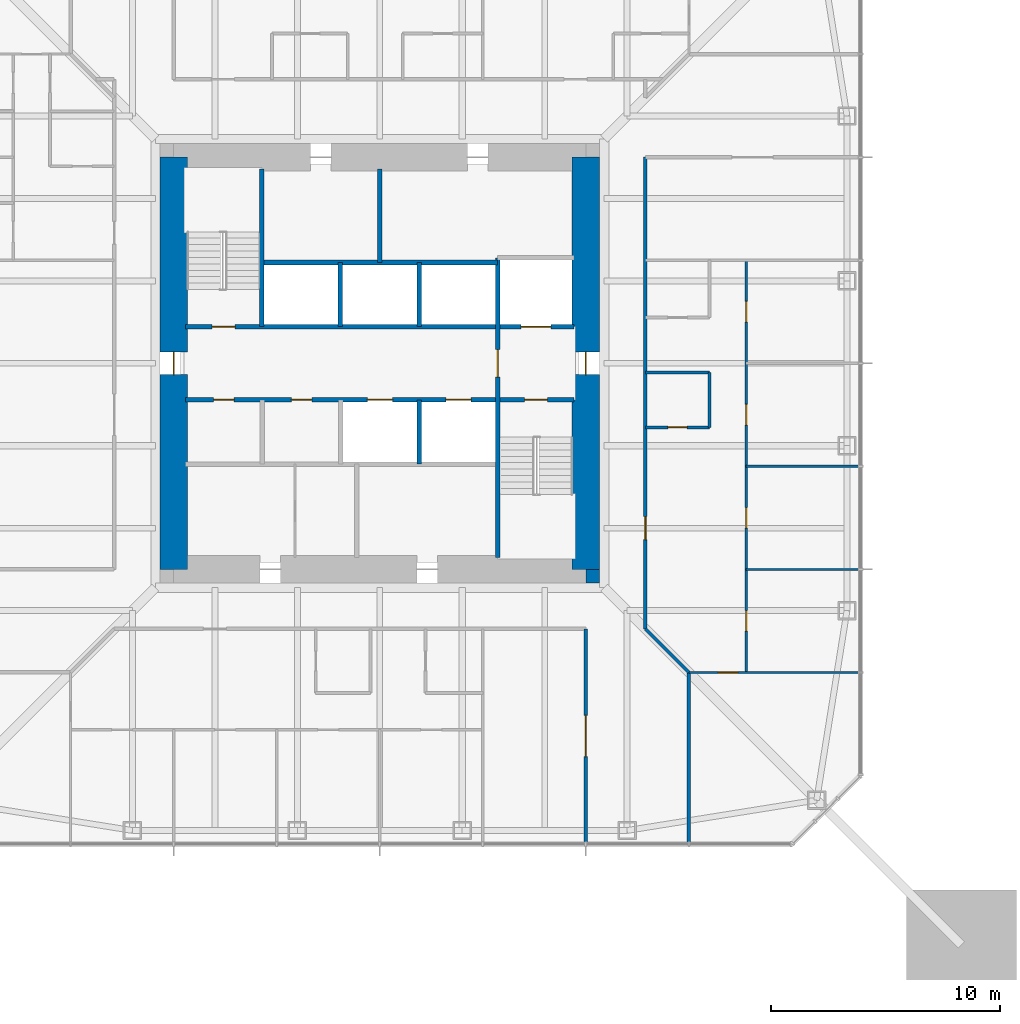
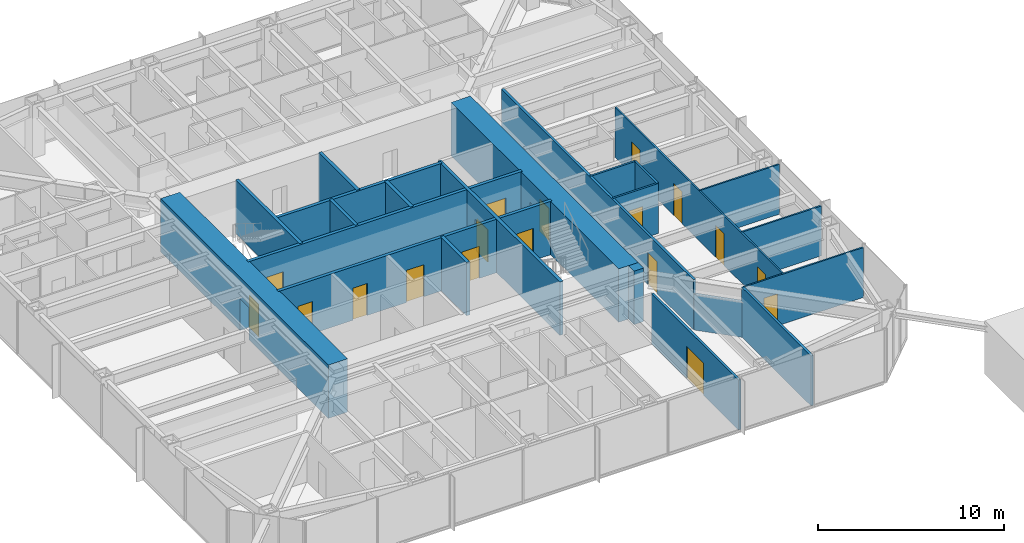
# One storey, part 12 of 23: 23 walls, 18 doors, 18 openings.
"""IFC4 building model written with IfcOpenShell, lengths in metres."""

from ifc_helpers import new_model, si_unit, direction, frame, frame_2d, origin, place, context, subcontext, project, spatial, rectangle, extrude, material, layer, layer_set, type_object, element, fill, save


model = new_model("IFC4")

# Units and contexts
model_context = context("Model", 3, precision=1e-05, world=origin(), true_north=direction((0.0, 1.0)))
body_context = subcontext(model_context, "Body", "Model", "MODEL_VIEW")
ifc_project = project(units=[si_unit("LENGTHUNIT", "METRE"), si_unit("AREAUNIT", "SQUARE_METRE"), si_unit("VOLUMEUNIT", "CUBIC_METRE"), si_unit("PLANEANGLEUNIT", "RADIAN"), si_unit("MASSUNIT", "GRAM", prefix="KILO")], contexts=[model_context])

# Site, building, storey
site_placement = place(None, origin())
site = spatial("IfcSite", under=ifc_project, at=site_placement, CompositionType="ELEMENT")
building_placement = place(site_placement, origin())
building = spatial("IfcBuilding", under=site, at=building_placement, Name="Iwan Alto Co-Living Towers", CompositionType="ELEMENT")
storey_placement = place(building_placement, frame((0.0, 0.0, 122.5)))
storey = spatial("IfcBuildingStorey", under=building, at=storey_placement, Name="L33", CompositionType="ELEMENT", Elevation=122.5)

# Wall
ifc_material_1 = material(Name="Gypsum board")
ifc_layer_1 = layer(ifc_material_1, 0.02490234375, Name="Board", Category="Finish")
ifc_material_2 = material(Name="Steel ASTM A1003 ST33H cold-formed studs", Category="steel")
ifc_layer_2 = layer(ifc_material_2, 0.10009765625, Name="Studs", Category="Framing")
ifc_layer_3 = layer(ifc_material_1, 0.02490234375, Name="Board", Category="Finish")
ifc_layer_set_1 = layer_set([ifc_layer_1, ifc_layer_2, ifc_layer_3], Name="CORRIDOR WALL 150")
wall_type_1 = type_object("IfcWallType", Name="CORRIDOR WALL 150", PredefinedType="PARTITIONING", material=ifc_layer_set_1)
wall_1_placement = place(storey_placement, frame((13.5, -20.93994140625, 0.0), z_axis=(0.0, 0.0, 1.0), x_axis=(0.0, 1.0, 0.0)))
element("IfcWall", 1, at=wall_1_placement, inside=storey, type_object=wall_type_1, Name="Partition L33", PredefinedType="PARTITIONING", context=body_context, shape_type="SweptSolid", body=[
    extrude(rectangle(XDim=7.43994140625, YDim=0.14990234375, at=frame_2d((3.719970703125, 0.0))), origin(), (0.0, 0.0, 1.0), 3.27001953125),
])

# Wall, opening, door
wall_2_placement = place(storey_placement, frame((11.60009765625, -11.60009765625, 0.0), z_axis=(0.0, 0.0, 1.0), x_axis=(0.0, 1.0, 0.0)))
wall_2 = element("IfcWall", 2, at=wall_2_placement, inside=storey, type_object=wall_type_1, Name="Partition L33", PredefinedType="PARTITIONING", context=body_context, shape_type="SweptSolid", body=[
    extrude(rectangle(XDim=20.60009765625, YDim=0.14990234375, at=frame_2d((10.300048828125, 0.0))), origin(), (0.0, 0.0, 1.0), 3.27001953125),
])
opening_1_placement = place(wall_2_placement, frame((3.89990234375, 0.0, 0.0)))
opening_1 = element("IfcOpeningElement", 3, at=opening_1_placement, cuts=wall_2, Name="Opening D3", PredefinedType="OPENING", context=body_context, shape_type="SweptSolid", body=[
    extrude(rectangle(XDim=1.0, YDim=2.10009765625, at=frame_2d((0.5, 1.050048828125))), frame((0.0, 0.0849609375, 0.0), z_axis=(0.0, -1.0, 0.0), x_axis=(1.0, 0.0, 0.0)), (0.0, 0.0, 1.0), 0.169921875),
])
ifc_material_3 = material(Name="Steel frame with timber leaf", Category="steel")
door_type_1 = type_object("IfcDoorType", Name="FLAT ENTRANCE DOOR FD30S 1000X2100", OperationType="SINGLE_SWING_LEFT", PredefinedType="DOOR", material=ifc_material_3)
door_1_placement = place(opening_1_placement, frame((1.0, 0.0, 0.0), z_axis=(0.0, 0.0, 1.0), x_axis=(-1.0, 0.0, 0.0)))
door_1 = element("IfcDoor", 4, at=door_1_placement, inside=storey, type_object=door_type_1, Name="Cluster lounge door L33", OperationType="SINGLE_SWING_LEFT", OverallHeight=2.10009765625, OverallWidth=1.0, PredefinedType="DOOR", context=body_context, shape_type="SweptSolid", body=[
    extrude(rectangle(XDim=1.0, YDim=2.10009765625, at=frame_2d((0.5, 1.050048828125))), frame((0.0, 0.02490234375, 0.0), z_axis=(0.0, -1.0, 0.0), x_axis=(1.0, 0.0, 0.0)), (0.0, 0.0, 1.0), 0.050048828125),
])
fill(opening_1, door_1)

wall_3_placement = place(storey_placement, frame((9.0, -20.93994140625, 0.0), z_axis=(0.0, 0.0, 1.0), x_axis=(0.0, 1.0, 0.0)))
wall_3 = element("IfcWall", 5, at=wall_3_placement, inside=storey, type_object=wall_type_1, Name="Partition L33", PredefinedType="PARTITIONING", context=body_context, shape_type="SweptSolid", body=[
    extrude(rectangle(XDim=9.33984375, YDim=0.14990234375, at=frame_2d((4.669921875, 0.0))), origin(), (0.0, 0.0, 1.0), 3.27001953125),
])
opening_2_placement = place(wall_3_placement, frame((3.77001953125, 0.0, 0.0)))
opening_2 = element("IfcOpeningElement", 6, at=opening_2_placement, cuts=wall_3, Name="Opening D9", PredefinedType="OPENING", context=body_context, shape_type="SweptSolid", body=[
    extrude(rectangle(XDim=1.800048828125, YDim=2.10009765625, at=frame_2d((0.89990234375, 1.050048828125))), frame((0.0, 0.0849609375, 0.0), z_axis=(0.0, -1.0, 0.0), x_axis=(1.0, 0.0, 0.0)), (0.0, 0.0, 1.0), 0.169921875),
])
ifc_material_4 = material(Name="Steel frame with timber leaf", Category="steel")
door_type_2 = type_object("IfcDoorType", Name="LOUNGE DOOR FD30S 1800X2100", OperationType="DOUBLE_DOOR_SINGLE_SWING", PredefinedType="DOOR", material=ifc_material_4)
door_2_placement = place(opening_2_placement, origin())
door_2 = element("IfcDoor", 7, at=door_2_placement, inside=storey, type_object=door_type_2, Name="Co-working room door L33", OperationType="DOUBLE_DOOR_SINGLE_SWING", OverallHeight=2.10009765625, OverallWidth=1.800048828125, PredefinedType="DOOR", context=body_context, shape_type="SweptSolid", body=[
    extrude(rectangle(XDim=1.800048828125, YDim=2.10009765625, at=frame_2d((0.89990234375, 1.050048828125))), frame((0.0, 0.02490234375, 0.0), z_axis=(0.0, -1.0, 0.0), x_axis=(1.0, 0.0, 0.0)), (0.0, 0.0, 1.0), 0.050048828125),
])
fill(opening_2, door_2)

# Wall
wall_4_placement = place(storey_placement, frame((13.5, -13.5, 0.0), z_axis=(0.0, 0.0, 1.0), x_axis=(-0.707106781187, 0.707106781187, 0.0)))
element("IfcWall", 8, at=wall_4_placement, inside=storey, type_object=wall_type_1, Name="Partition L33", PredefinedType="PARTITIONING", context=body_context, shape_type="SweptSolid", body=[
    extrude(rectangle(XDim=2.686767578125, YDim=0.14990234375, at=frame_2d((1.34326171875, 0.0))), origin(), (0.0, 0.0, 1.0), 2.343017578125),
])

# Wall, opening, door
ifc_layer_4 = layer(ifc_material_1, 0.012451171875, Name="Board", Category="Finish")
ifc_layer_5 = layer(ifc_material_2, 0.074951171875, Name="Studs", Category="Framing")
ifc_layer_6 = layer(ifc_material_1, 0.012451171875, Name="Board", Category="Finish")
ifc_layer_set_2 = layer_set([ifc_layer_4, ifc_layer_5, ifc_layer_6], Name="PARTITION 100")
wall_type_2 = type_object("IfcWallType", Name="PARTITION 100", PredefinedType="PARTITIONING", material=ifc_layer_set_2)
wall_5_placement = place(storey_placement, frame((13.5, -13.5, 0.0), z_axis=(0.0, 0.0, 1.0), x_axis=(1.0, 0.0, 0.0)))
wall_5 = element("IfcWall", 9, at=wall_5_placement, inside=storey, type_object=wall_type_2, Name="Partition L33", PredefinedType="PARTITIONING", context=body_context, shape_type="SweptSolid", body=[
    extrude(rectangle(XDim=7.43994140625, YDim=0.10009765625, at=frame_2d((3.719970703125, 0.0))), origin(), (0.0, 0.0, 1.0), 3.27001953125),
])
opening_3_placement = place(wall_5_placement, frame((1.27490234375, 0.0, 0.0)))
opening_3 = element("IfcOpeningElement", 10, at=opening_3_placement, cuts=wall_5, Name="Opening D2", PredefinedType="OPENING", context=body_context, shape_type="SweptSolid", body=[
    extrude(rectangle(XDim=0.85009765625, YDim=2.10009765625, at=frame_2d((0.425048828125, 1.050048828125))), frame((0.0, 0.06005859375, 0.0), z_axis=(0.0, -1.0, 0.0), x_axis=(1.0, 0.0, 0.0)), (0.0, 0.0, 1.0), 0.1201171875),
])
ifc_material_5 = material(Name="Timber leaf in steel frame", Category="steel")
door_type_3 = type_object("IfcDoorType", Name="ROOM DOOR 850X2100", OperationType="SINGLE_SWING_LEFT", PredefinedType="DOOR", material=ifc_material_5)
door_3_placement = place(opening_3_placement, origin())
door_3 = element("IfcDoor", 11, at=door_3_placement, inside=storey, type_object=door_type_3, Name="Shared kitchen and lounge door L33", OperationType="SINGLE_SWING_RIGHT", OverallHeight=2.10009765625, OverallWidth=0.85009765625, PredefinedType="DOOR", context=body_context, shape_type="SweptSolid", body=[
    extrude(rectangle(XDim=0.85009765625, YDim=2.10009765625, at=frame_2d((0.425048828125, 1.050048828125))), frame((0.0, 0.02490234375, 0.0), z_axis=(0.0, -1.0, 0.0), x_axis=(1.0, 0.0, 0.0)), (0.0, 0.0, 1.0), 0.050048828125),
])
fill(opening_3, door_3)

# Walls
for number, where, z_axis, x_axis, name in (
    (12, (16.0, -9.0, 0.0), (0.0, 0.0, 1.0), (1.0, 0.0, 0.0), "Partition L33"),
    (13, (16.0, -4.5, 0.0), (0.0, 0.0, 1.0), (1.0, 0.0, 0.0), "Partition L33"),
):
    element("IfcWall", number, at=place(storey_placement, frame(where, z_axis=z_axis, x_axis=x_axis)), inside=storey, type_object=wall_type_2, Name=name, PredefinedType="PARTITIONING", context=body_context, shape_type="SweptSolid", body=[
        extrude(rectangle(XDim=4.93994140625, YDim=0.10009765625, at=frame_2d((2.469970703125, 0.0))), origin(), (0.0, 0.0, 1.0), 3.27001953125),
    ])

# Wall, openings, doors
wall_6_placement = place(storey_placement, frame((16.0, -13.5, 0.0), z_axis=(0.0, 0.0, 1.0), x_axis=(0.0, 1.0, 0.0)))
wall_6 = element("IfcWall", 14, at=wall_6_placement, inside=storey, type_object=wall_type_2, Name="Partition L33", PredefinedType="PARTITIONING", context=body_context, shape_type="SweptSolid", body=[
    extrude(rectangle(XDim=18.0, YDim=0.10009765625, at=frame_2d((9.0, 0.0))), origin(), (0.0, 0.0, 1.0), 3.27001953125),
])
opening_4_placement = place(wall_6_placement, frame((1.800048828125, 0.0, 0.0)))
opening_4 = element("IfcOpeningElement", 15, at=opening_4_placement, cuts=wall_6, Name="Opening D1", PredefinedType="OPENING", context=body_context, shape_type="SweptSolid", body=[
    extrude(rectangle(XDim=0.89990234375, YDim=2.10009765625, at=frame_2d((0.449951171875, 1.050048828125))), frame((0.0, 0.06005859375, 0.0), z_axis=(0.0, -1.0, 0.0), x_axis=(1.0, 0.0, 0.0)), (0.0, 0.0, 1.0), 0.1201171875),
])
opening_5_placement = place(wall_6_placement, frame((6.300048828125, 0.0, 0.0)))
opening_5 = element("IfcOpeningElement", 16, at=opening_5_placement, cuts=wall_6, Name="Opening D1", PredefinedType="OPENING", context=body_context, shape_type="SweptSolid", body=[
    extrude(rectangle(XDim=0.89990234375, YDim=2.10009765625, at=frame_2d((0.449951171875, 1.050048828125))), frame((0.0, 0.06005859375, 0.0), z_axis=(0.0, -1.0, 0.0), x_axis=(1.0, 0.0, 0.0)), (0.0, 0.0, 1.0), 0.1201171875),
])
opening_6_placement = place(wall_6_placement, frame((10.800048828125, 0.0, 0.0)))
opening_6 = element("IfcOpeningElement", 17, at=opening_6_placement, cuts=wall_6, Name="Opening D1", PredefinedType="OPENING", context=body_context, shape_type="SweptSolid", body=[
    extrude(rectangle(XDim=0.89990234375, YDim=2.10009765625, at=frame_2d((0.449951171875, 1.050048828125))), frame((0.0, 0.06005859375, 0.0), z_axis=(0.0, -1.0, 0.0), x_axis=(1.0, 0.0, 0.0)), (0.0, 0.0, 1.0), 0.1201171875),
])
opening_7_placement = place(wall_6_placement, frame((15.300048828125, 0.0, 0.0)))
opening_7 = element("IfcOpeningElement", 18, at=opening_7_placement, cuts=wall_6, Name="Opening D1", PredefinedType="OPENING", context=body_context, shape_type="SweptSolid", body=[
    extrude(rectangle(XDim=0.89990234375, YDim=2.10009765625, at=frame_2d((0.449951171875, 1.050048828125))), frame((0.0, 0.06005859375, 0.0), z_axis=(0.0, -1.0, 0.0), x_axis=(1.0, 0.0, 0.0)), (0.0, 0.0, 1.0), 0.1201171875),
])
ifc_material_6 = material(Name="Timber leaf in steel frame", Category="steel")
door_type_4 = type_object("IfcDoorType", Name="BEDROOM DOOR 900X2100", OperationType="SINGLE_SWING_LEFT", PredefinedType="DOOR", material=ifc_material_6)
door_4_placement = place(opening_4_placement, origin())
door_4 = element("IfcDoor", 19, at=door_4_placement, inside=storey, type_object=door_type_4, Name="Study bedroom door L33", OperationType="SINGLE_SWING_LEFT", OverallHeight=2.10009765625, OverallWidth=0.89990234375, PredefinedType="DOOR", context=body_context, shape_type="SweptSolid", body=[
    extrude(rectangle(XDim=0.89990234375, YDim=2.10009765625, at=frame_2d((0.449951171875, 1.050048828125))), frame((0.0, 0.02490234375, 0.0), z_axis=(0.0, -1.0, 0.0), x_axis=(1.0, 0.0, 0.0)), (0.0, 0.0, 1.0), 0.050048828125),
])
fill(opening_4, door_4)
door_5_placement = place(opening_5_placement, origin())
door_5 = element("IfcDoor", 20, at=door_5_placement, inside=storey, type_object=door_type_4, Name="Study bedroom door L33", OperationType="SINGLE_SWING_LEFT", OverallHeight=2.10009765625, OverallWidth=0.89990234375, PredefinedType="DOOR", context=body_context, shape_type="SweptSolid", body=[
    extrude(rectangle(XDim=0.89990234375, YDim=2.10009765625, at=frame_2d((0.449951171875, 1.050048828125))), frame((0.0, 0.02490234375, 0.0), z_axis=(0.0, -1.0, 0.0), x_axis=(1.0, 0.0, 0.0)), (0.0, 0.0, 1.0), 0.050048828125),
])
fill(opening_5, door_5)
door_6_placement = place(opening_6_placement, origin())
door_6 = element("IfcDoor", 21, at=door_6_placement, inside=storey, type_object=door_type_4, Name="Study bedroom door L33", OperationType="SINGLE_SWING_RIGHT", OverallHeight=2.10009765625, OverallWidth=0.89990234375, PredefinedType="DOOR", context=body_context, shape_type="SweptSolid", body=[
    extrude(rectangle(XDim=0.89990234375, YDim=2.10009765625, at=frame_2d((0.449951171875, 1.050048828125))), frame((0.0, 0.02490234375, 0.0), z_axis=(0.0, -1.0, 0.0), x_axis=(1.0, 0.0, 0.0)), (0.0, 0.0, 1.0), 0.050048828125),
])
fill(opening_6, door_6)
door_7_placement = place(opening_7_placement, origin())
door_7 = element("IfcDoor", 22, at=door_7_placement, inside=storey, type_object=door_type_4, Name="Study bedroom door L33", OperationType="SINGLE_SWING_RIGHT", OverallHeight=2.10009765625, OverallWidth=0.89990234375, PredefinedType="DOOR", context=body_context, shape_type="SweptSolid", body=[
    extrude(rectangle(XDim=0.89990234375, YDim=2.10009765625, at=frame_2d((0.449951171875, 1.050048828125))), frame((0.0, 0.02490234375, 0.0), z_axis=(0.0, -1.0, 0.0), x_axis=(1.0, 0.0, 0.0)), (0.0, 0.0, 1.0), 0.050048828125),
])
fill(opening_7, door_7)

ifc_material_7 = material(Name="Concrete f'c 70 MPa", Category="concrete")
ifc_layer_7 = layer(ifc_material_7, 0.199951171875)
ifc_layer_set_3 = layer_set([ifc_layer_7], Name="SHAFT WALL 200")
wall_type_3 = type_object("IfcWallType", Name="SHAFT WALL 200", PredefinedType="SOLIDWALL", material=ifc_layer_set_3)
wall_7_placement = place(storey_placement, frame((-8.489990234375, -1.60009765625, 0.0), z_axis=(0.0, 0.0, 1.0), x_axis=(1.0, 0.0, 0.0)))
wall_7 = element("IfcWall", 23, at=wall_7_placement, inside=storey, type_object=wall_type_3, Name="Shaft wall L33", PredefinedType="SOLIDWALL", context=body_context, shape_type="SweptSolid", body=[
    extrude(rectangle(XDim=16.97998046875, YDim=0.199951171875, at=frame_2d((8.489990234375, 0.0))), origin(), (0.0, 0.0, 1.0), 3.5),
])
opening_8_placement = place(wall_7_placement, frame((14.81005859375, 0.0, 0.0)))
opening_8 = element("IfcOpeningElement", 24, at=opening_8_placement, cuts=wall_7, Name="Opening D5", PredefinedType="OPENING", context=body_context, shape_type="SweptSolid", body=[
    extrude(rectangle(XDim=1.0, YDim=2.10009765625, at=frame_2d((0.5, 1.050048828125))), frame((0.0, 0.10986328125, 0.0), z_axis=(0.0, -1.0, 0.0), x_axis=(1.0, 0.0, 0.0)), (0.0, 0.0, 1.0), 0.219970703125),
])
opening_9_placement = place(wall_7_placement, frame((1.23193359375, 0.0, 0.0)))
opening_9 = element("IfcOpeningElement", 25, at=opening_9_placement, cuts=wall_7, Name="Opening D15", PredefinedType="OPENING", context=body_context, shape_type="SweptSolid", body=[
    extrude(rectangle(XDim=0.89990234375, YDim=2.10009765625, at=frame_2d((0.449951171875, 1.050048828125))), frame((0.0, 0.10986328125, 0.0), z_axis=(0.0, -1.0, 0.0), x_axis=(1.0, 0.0, 0.0)), (0.0, 0.0, 1.0), 0.219970703125),
])
opening_10_placement = place(wall_7_placement, frame((4.626953125, 0.0, 0.0)))
opening_10 = element("IfcOpeningElement", 26, at=opening_10_placement, cuts=wall_7, Name="Opening D15", PredefinedType="OPENING", context=body_context, shape_type="SweptSolid", body=[
    extrude(rectangle(XDim=0.89990234375, YDim=2.10009765625, at=frame_2d((0.449951171875, 1.050048828125))), frame((0.0, 0.10986328125, 0.0), z_axis=(0.0, -1.0, 0.0), x_axis=(1.0, 0.0, 0.0)), (0.0, 0.0, 1.0), 0.219970703125),
])
opening_11_placement = place(wall_7_placement, frame((7.952880859375, 0.0, 0.0)))
opening_11 = element("IfcOpeningElement", 27, at=opening_11_placement, cuts=wall_7, Name="Opening LD", PredefinedType="OPENING", context=body_context, shape_type="SweptSolid", body=[
    extrude(rectangle(XDim=1.10009765625, YDim=2.10009765625, at=frame_2d((0.550048828125, 1.050048828125))), frame((0.0, 0.10986328125, 0.0), z_axis=(0.0, -1.0, 0.0), x_axis=(1.0, 0.0, 0.0)), (0.0, 0.0, 1.0), 0.219970703125),
])
opening_12_placement = place(wall_7_placement, frame((11.3779296875, 0.0, 0.0)))
opening_12 = element("IfcOpeningElement", 28, at=opening_12_placement, cuts=wall_7, Name="Opening LD", PredefinedType="OPENING", context=body_context, shape_type="SweptSolid", body=[
    extrude(rectangle(XDim=1.10009765625, YDim=2.10009765625, at=frame_2d((0.550048828125, 1.050048828125))), frame((0.0, 0.10986328125, 0.0), z_axis=(0.0, -1.0, 0.0), x_axis=(1.0, 0.0, 0.0)), (0.0, 0.0, 1.0), 0.219970703125),
])
ifc_material_8 = material(Name="Steel frame with timber leaf", Category="steel")
door_type_5 = type_object("IfcDoorType", Name="CORE ROOM DOOR FD60S 900X2100", OperationType="SINGLE_SWING_LEFT", PredefinedType="DOOR", material=ifc_material_8)
door_8_placement = place(opening_9_placement, frame((0.89990234375, 0.0, 0.0), z_axis=(0.0, 0.0, 1.0), x_axis=(-1.0, 0.0, 0.0)))
door_8 = element("IfcDoor", 29, at=door_8_placement, inside=storey, type_object=door_type_5, Name="Vending and ice room door L33", OperationType="SINGLE_SWING_LEFT", OverallHeight=2.10009765625, OverallWidth=0.89990234375, PredefinedType="DOOR", context=body_context, shape_type="SweptSolid", body=[
    extrude(rectangle(XDim=0.89990234375, YDim=2.10009765625, at=frame_2d((0.449951171875, 1.050048828125))), frame((0.0, 0.02490234375, 0.0), z_axis=(0.0, -1.0, 0.0), x_axis=(1.0, 0.0, 0.0)), (0.0, 0.0, 1.0), 0.050048828125),
])
fill(opening_9, door_8)
door_9_placement = place(opening_10_placement, frame((0.89990234375, 0.0, 0.0), z_axis=(0.0, 0.0, 1.0), x_axis=(-1.0, 0.0, 0.0)))
door_9 = element("IfcDoor", 30, at=door_9_placement, inside=storey, type_object=door_type_5, Name="Bulk store door L33", OperationType="SINGLE_SWING_RIGHT", OverallHeight=2.10009765625, OverallWidth=0.89990234375, PredefinedType="DOOR", context=body_context, shape_type="SweptSolid", body=[
    extrude(rectangle(XDim=0.89990234375, YDim=2.10009765625, at=frame_2d((0.449951171875, 1.050048828125))), frame((0.0, 0.02490234375, 0.0), z_axis=(0.0, -1.0, 0.0), x_axis=(1.0, 0.0, 0.0)), (0.0, 0.0, 1.0), 0.050048828125),
])
fill(opening_10, door_9)
ifc_material_9 = material(Name="Steel frame with timber leaf", Category="steel")
door_type_6 = type_object("IfcDoorType", Name="LIFT LANDING DOOR 1100X2100", OperationType="DOUBLE_DOOR_SLIDING", PredefinedType="DOOR", material=ifc_material_9)
door_10_placement = place(opening_11_placement, origin())
door_10 = element("IfcDoor", 31, at=door_10_placement, inside=storey, type_object=door_type_6, Name="Lift P2-3 landing door L33", OperationType="DOUBLE_DOOR_SLIDING", OverallHeight=2.10009765625, OverallWidth=1.10009765625, PredefinedType="DOOR", context=body_context, shape_type="SweptSolid", body=[
    extrude(rectangle(XDim=1.10009765625, YDim=2.10009765625, at=frame_2d((0.550048828125, 1.050048828125))), frame((0.0, 0.02490234375, 0.0), z_axis=(0.0, -1.0, 0.0), x_axis=(1.0, 0.0, 0.0)), (0.0, 0.0, 1.0), 0.050048828125),
])
fill(opening_11, door_10)
door_11_placement = place(opening_12_placement, origin())
door_11 = element("IfcDoor", 32, at=door_11_placement, inside=storey, type_object=door_type_6, Name="Lift P2-4 landing door L33", OperationType="DOUBLE_DOOR_SLIDING", OverallHeight=2.10009765625, OverallWidth=1.10009765625, PredefinedType="DOOR", context=body_context, shape_type="SweptSolid", body=[
    extrude(rectangle(XDim=1.10009765625, YDim=2.10009765625, at=frame_2d((0.550048828125, 1.050048828125))), frame((0.0, 0.02490234375, 0.0), z_axis=(0.0, -1.0, 0.0), x_axis=(1.0, 0.0, 0.0)), (0.0, 0.0, 1.0), 0.050048828125),
])
fill(opening_12, door_11)
ifc_material_10 = material(Name="Steel frame with timber leaf", Category="steel")
door_type_7 = type_object("IfcDoorType", Name="STAIR DOOR FD120S 1000X2100", OperationType="SINGLE_SWING_LEFT", PredefinedType="DOOR", material=ifc_material_10)
door_12_placement = place(opening_8_placement, frame((1.0, 0.0, 0.0), z_axis=(0.0, 0.0, 1.0), x_axis=(-1.0, 0.0, 0.0)))
door_12 = element("IfcDoor", 33, at=door_12_placement, inside=storey, type_object=door_type_7, Name="Stair S2 door L33", OperationType="SINGLE_SWING_RIGHT", OverallHeight=2.10009765625, OverallWidth=1.0, PredefinedType="DOOR", context=body_context, shape_type="SweptSolid", body=[
    extrude(rectangle(XDim=1.0, YDim=2.10009765625, at=frame_2d((0.5, 1.050048828125))), frame((0.0, 0.02490234375, 0.0), z_axis=(0.0, -1.0, 0.0), x_axis=(1.0, 0.0, 0.0)), (0.0, 0.0, 1.0), 0.050048828125),
])
fill(opening_8, door_12)

wall_8_placement = place(storey_placement, frame((-8.489990234375, 1.60009765625, 0.0), z_axis=(0.0, 0.0, 1.0), x_axis=(1.0, 0.0, 0.0)))
wall_8 = element("IfcWall", 34, at=wall_8_placement, inside=storey, type_object=wall_type_3, Name="Shaft wall L33", PredefinedType="SOLIDWALL", context=body_context, shape_type="SweptSolid", body=[
    extrude(rectangle(XDim=16.97998046875, YDim=0.199951171875, at=frame_2d((8.489990234375, 0.0))), origin(), (0.0, 0.0, 1.0), 3.5),
])
opening_13_placement = place(wall_8_placement, frame((1.169921875, 0.0, 0.0)))
opening_13 = element("IfcOpeningElement", 35, at=opening_13_placement, cuts=wall_8, Name="Opening D5", PredefinedType="OPENING", context=body_context, shape_type="SweptSolid", body=[
    extrude(rectangle(XDim=1.0, YDim=2.10009765625, at=frame_2d((0.5, 1.050048828125))), frame((0.0, 0.10986328125, 0.0), z_axis=(0.0, -1.0, 0.0), x_axis=(1.0, 0.0, 0.0)), (0.0, 0.0, 1.0), 0.219970703125),
])
opening_14_placement = place(wall_8_placement, frame((14.659912109375, 0.0, 0.0)))
opening_14 = element("IfcOpeningElement", 36, at=opening_14_placement, cuts=wall_8, Name="Opening LD2", PredefinedType="OPENING", context=body_context, shape_type="SweptSolid", body=[
    extrude(rectangle(XDim=1.300048828125, YDim=2.10009765625, at=frame_2d((0.64990234375, 1.050048828125))), frame((0.0, 0.10986328125, 0.0), z_axis=(0.0, -1.0, 0.0), x_axis=(1.0, 0.0, 0.0)), (0.0, 0.0, 1.0), 0.219970703125),
])
ifc_material_11 = material(Name="Steel frame with timber leaf", Category="steel")
door_type_8 = type_object("IfcDoorType", Name="LIFT LANDING DOOR 1300X2100", OperationType="SLIDING_TO_LEFT", PredefinedType="DOOR", material=ifc_material_11)
door_13_placement = place(opening_14_placement, origin())
door_13 = element("IfcDoor", 37, at=door_13_placement, inside=storey, type_object=door_type_8, Name="Lift FL1 landing door L33", OperationType="SLIDING_TO_LEFT", OverallHeight=2.10009765625, OverallWidth=1.300048828125, PredefinedType="DOOR", context=body_context, shape_type="SweptSolid", body=[
    extrude(rectangle(XDim=1.300048828125, YDim=2.10009765625, at=frame_2d((0.64990234375, 1.050048828125))), frame((0.0, 0.02490234375, 0.0), z_axis=(0.0, -1.0, 0.0), x_axis=(1.0, 0.0, 0.0)), (0.0, 0.0, 1.0), 0.050048828125),
])
fill(opening_14, door_13)
door_14_placement = place(opening_13_placement, origin())
door_14 = element("IfcDoor", 38, at=door_14_placement, inside=storey, type_object=door_type_7, Name="Stair S1 door L33", OperationType="SINGLE_SWING_RIGHT", OverallHeight=2.10009765625, OverallWidth=1.0, PredefinedType="DOOR", context=body_context, shape_type="SweptSolid", body=[
    extrude(rectangle(XDim=1.0, YDim=2.10009765625, at=frame_2d((0.5, 1.050048828125))), frame((0.0, 0.02490234375, 0.0), z_axis=(0.0, -1.0, 0.0), x_axis=(1.0, 0.0, 0.0)), (0.0, 0.0, 1.0), 0.050048828125),
])
fill(opening_13, door_14)

# Wall
wall_9_placement = place(storey_placement, frame((-5.14990234375, 4.39990234375, 0.0), z_axis=(0.0, 0.0, 1.0), x_axis=(1.0, 0.0, 0.0)))
element("IfcWall", 39, at=wall_9_placement, inside=storey, type_object=wall_type_3, Name="Shaft wall L33", PredefinedType="SOLIDWALL", context=body_context, shape_type="SweptSolid", body=[
    extrude(rectangle(XDim=10.2998046875, YDim=0.199951171875, at=frame_2d((5.14990234375, 0.0))), origin(), (0.0, 0.0, 1.0), 3.5),
])

# Wall, opening, door
wall_10_placement = place(storey_placement, frame((5.14990234375, -8.489990234375, 0.0), z_axis=(0.0, 0.0, 1.0), x_axis=(0.0, 1.0, 0.0)))
wall_10 = element("IfcWall", 40, at=wall_10_placement, inside=storey, type_object=wall_type_3, Name="Shaft wall L33", PredefinedType="SOLIDWALL", context=body_context, shape_type="SweptSolid", body=[
    extrude(rectangle(XDim=13.090087890625, YDim=0.199951171875, at=frame_2d((6.544921875, 0.0))), origin(), (0.0, 0.0, 1.0), 3.5),
])
opening_15_placement = place(wall_10_placement, frame((7.889892578125, 0.0, 0.0)))
opening_15 = element("IfcOpeningElement", 41, at=opening_15_placement, cuts=wall_10, Name="Opening D6", PredefinedType="OPENING", context=body_context, shape_type="SweptSolid", body=[
    extrude(rectangle(XDim=1.199951171875, YDim=2.10009765625, at=frame_2d((0.60009765625, 1.050048828125))), frame((0.0, 0.10986328125, 0.0), z_axis=(0.0, -1.0, 0.0), x_axis=(1.0, 0.0, 0.0)), (0.0, 0.0, 1.0), 0.219970703125),
])
ifc_material_12 = material(Name="Steel frame with timber leaf", Category="steel")
door_type_9 = type_object("IfcDoorType", Name="LOBBY DOOR FD120S 1200X2100", OperationType="SINGLE_SWING_LEFT", PredefinedType="DOOR", material=ifc_material_12)
door_15_placement = place(opening_15_placement, frame((1.199951171875, 0.0, 0.0), z_axis=(0.0, 0.0, 1.0), x_axis=(-1.0, 0.0, 0.0)))
door_15 = element("IfcDoor", 42, at=door_15_placement, inside=storey, type_object=door_type_9, Name="Firefighting lobby door L33", OperationType="SINGLE_SWING_RIGHT", OverallHeight=2.10009765625, OverallWidth=1.199951171875, PredefinedType="DOOR", context=body_context, shape_type="SweptSolid", body=[
    extrude(rectangle(XDim=1.199951171875, YDim=2.10009765625, at=frame_2d((0.60009765625, 1.050048828125))), frame((0.0, 0.02490234375, 0.0), z_axis=(0.0, -1.0, 0.0), x_axis=(1.0, 0.0, 0.0)), (0.0, 0.0, 1.0), 0.050048828125),
])
fill(opening_15, door_15)

# Walls
for number, where, z_axis, x_axis, name in (
    (43, (1.72509765625, -4.39990234375, 0.0), (0.0, 0.0, 1.0), (0.0, 1.0, 0.0), "Shaft wall L33"),
    (44, (1.717041015625, 1.60009765625, 0.0), (0.0, 0.0, 1.0), (0.0, 1.0, 0.0), "Shaft wall L33"),
):
    element("IfcWall", number, at=place(storey_placement, frame(where, z_axis=z_axis, x_axis=x_axis)), inside=storey, type_object=wall_type_3, Name=name, PredefinedType="SOLIDWALL", context=body_context, shape_type="SweptSolid", body=[
        extrude(rectangle(XDim=2.7998046875, YDim=0.199951171875, at=frame_2d((1.39990234375, 0.0))), origin(), (0.0, 0.0, 1.0), 3.5),
    ])
wall_11_placement = place(storey_placement, frame((0.0, 4.39990234375, 0.0), z_axis=(0.0, 0.0, 1.0), x_axis=(0.0, 1.0, 0.0)))
element("IfcWall", 45, at=wall_11_placement, inside=storey, type_object=wall_type_3, Name="Shaft wall L33", PredefinedType="SOLIDWALL", context=body_context, shape_type="SweptSolid", body=[
    extrude(rectangle(XDim=4.090087890625, YDim=0.199951171875, at=frame_2d((2.044921875, 0.0))), origin(), (0.0, 0.0, 1.0), 3.5),
])
wall_12_placement = place(storey_placement, frame((-1.717041015625, 1.60009765625, 0.0), z_axis=(0.0, 0.0, 1.0), x_axis=(0.0, 1.0, 0.0)))
element("IfcWall", 46, at=wall_12_placement, inside=storey, type_object=wall_type_3, Name="Shaft wall L33", PredefinedType="SOLIDWALL", context=body_context, shape_type="SweptSolid", body=[
    extrude(rectangle(XDim=2.7998046875, YDim=0.199951171875, at=frame_2d((1.39990234375, 0.0))), origin(), (0.0, 0.0, 1.0), 3.5),
])
wall_13_placement = place(storey_placement, frame((-5.14990234375, 1.60009765625, 0.0), z_axis=(0.0, 0.0, 1.0), x_axis=(0.0, 1.0, 0.0)))
element("IfcWall", 47, at=wall_13_placement, inside=storey, type_object=wall_type_3, Name="Shaft wall L33", PredefinedType="SOLIDWALL", context=body_context, shape_type="SweptSolid", body=[
    extrude(rectangle(XDim=6.889892578125, YDim=0.199951171875, at=frame_2d((3.44482421875, 0.0))), origin(), (0.0, 0.0, 1.0), 3.5),
])
ifc_material_13 = material(Name="Concrete f'c 70 MPa", Category="concrete")
ifc_layer_8 = layer(ifc_material_13, 0.60009765625)
ifc_layer_set_4 = layer_set([ifc_layer_8], Name="T1 CORE CORNER FILL 600")
wall_type_4 = type_object("IfcWallType", Name="T1 CORE CORNER FILL 600", PredefinedType="SOLIDWALL", material=ifc_layer_set_4)
wall_14_placement = place(storey_placement, frame((9.0, -9.300048828125, 0.0), z_axis=(0.0, 0.0, 1.0), x_axis=(1.0, 0.0, 0.0)))
element("IfcWall", 48, at=wall_14_placement, inside=storey, type_object=wall_type_4, Name="T1 core corner SE L33", PredefinedType="SOLIDWALL", context=body_context, shape_type="SweptSolid", body=[
    extrude(rectangle(XDim=0.60009765625, YDim=0.60009765625, at=frame_2d((0.300048828125, 0.0))), origin(), (0.0, 0.0, 1.0), 3.5),
])

# Wall, opening, door
ifc_material_14 = material(Name="Concrete f'c 70 MPa", Category="concrete")
ifc_layer_9 = layer(ifc_material_14, 1.199951171875)
ifc_layer_set_5 = layer_set([ifc_layer_9], Name="T1 CORE WALL 1200")
wall_type_5 = type_object("IfcWallType", Name="T1 CORE WALL 1200", PredefinedType="SHEAR", material=ifc_layer_set_5)
wall_15_placement = place(storey_placement, frame((9.0, -9.0, 0.0), z_axis=(0.0, 0.0, 1.0), x_axis=(0.0, 1.0, 0.0)))
wall_15 = element("IfcWall", 49, at=wall_15_placement, inside=storey, type_object=wall_type_5, Name="T1 core wall E L33", PredefinedType="SHEAR", context=body_context, shape_type="SweptSolid", body=[
    extrude(rectangle(XDim=18.0, YDim=1.199951171875, at=frame_2d((9.0, 0.0))), origin(), (0.0, 0.0, 1.0), 3.5),
])
opening_16_placement = place(wall_15_placement, frame((8.5, 0.0, 0.0)))
opening_16 = element("IfcOpeningElement", 50, at=opening_16_placement, cuts=wall_15, Name="Opening D7", PredefinedType="OPENING", context=body_context, shape_type="SweptSolid", body=[
    extrude(rectangle(XDim=1.0, YDim=2.10009765625, at=frame_2d((0.5, 1.050048828125))), frame((0.0, 0.60986328125, 0.0), z_axis=(0.0, -1.0, 0.0), x_axis=(1.0, 0.0, 0.0)), (0.0, 0.0, 1.0), 1.219970703125),
])
ifc_material_15 = material(Name="Steel frame with timber leaf", Category="steel")
door_type_10 = type_object("IfcDoorType", Name="CORE DOOR FD120S 1000X2100", OperationType="SINGLE_SWING_LEFT", PredefinedType="DOOR", material=ifc_material_15)
door_16_placement = place(opening_16_placement, origin())
door_16 = element("IfcDoor", 51, at=door_16_placement, inside=storey, type_object=door_type_10, Name="Firefighting lobby core door L33", OperationType="SINGLE_SWING_LEFT", OverallHeight=2.10009765625, OverallWidth=1.0, PredefinedType="DOOR", context=body_context, shape_type="SweptSolid", body=[
    extrude(rectangle(XDim=1.0, YDim=2.10009765625, at=frame_2d((0.5, 1.050048828125))), frame((0.0, 0.02490234375, 0.0), z_axis=(0.0, -1.0, 0.0), x_axis=(1.0, 0.0, 0.0)), (0.0, 0.0, 1.0), 0.050048828125),
])
fill(opening_16, door_16)

wall_16_placement = place(storey_placement, frame((-9.0, 9.0, 0.0), z_axis=(0.0, 0.0, 1.0), x_axis=(0.0, -1.0, 0.0)))
wall_16 = element("IfcWall", 52, at=wall_16_placement, inside=storey, type_object=wall_type_5, Name="T1 core wall W L33", PredefinedType="SHEAR", context=body_context, shape_type="SweptSolid", body=[
    extrude(rectangle(XDim=18.0, YDim=1.199951171875, at=frame_2d((9.0, 0.0))), origin(), (0.0, 0.0, 1.0), 3.5),
])
opening_17_placement = place(wall_16_placement, frame((8.5, 0.0, 0.0)))
opening_17 = element("IfcOpeningElement", 53, at=opening_17_placement, cuts=wall_16, Name="Opening D7", PredefinedType="OPENING", context=body_context, shape_type="SweptSolid", body=[
    extrude(rectangle(XDim=1.0, YDim=2.10009765625, at=frame_2d((0.5, 1.050048828125))), frame((0.0, 0.60986328125, 0.0), z_axis=(0.0, -1.0, 0.0), x_axis=(1.0, 0.0, 0.0)), (0.0, 0.0, 1.0), 1.219970703125),
])
door_17_placement = place(opening_17_placement, origin())
door_17 = element("IfcDoor", 54, at=door_17_placement, inside=storey, type_object=door_type_10, Name="Lift lobby core door L33", OperationType="SINGLE_SWING_RIGHT", OverallHeight=2.10009765625, OverallWidth=1.0, PredefinedType="DOOR", context=body_context, shape_type="SweptSolid", body=[
    extrude(rectangle(XDim=1.0, YDim=2.10009765625, at=frame_2d((0.5, 1.050048828125))), frame((0.0, 0.02490234375, 0.0), z_axis=(0.0, -1.0, 0.0), x_axis=(1.0, 0.0, 0.0)), (0.0, 0.0, 1.0), 0.050048828125),
])
fill(opening_17, door_17)

ifc_material_16 = material(Name="Cement board")
ifc_layer_10 = layer(ifc_material_16, 0.012451171875, Name="Board", Category="Finish")
ifc_layer_11 = layer(ifc_material_2, 0.094970703125, Name="Studs", Category="Framing")
ifc_layer_12 = layer(ifc_material_16, 0.012451171875, Name="Board", Category="Finish")
ifc_layer_set_6 = layer_set([ifc_layer_10, ifc_layer_11, ifc_layer_12], Name="WET AREA PARTITION 120")
wall_type_6 = type_object("IfcWallType", Name="WET AREA PARTITION 120", PredefinedType="PARTITIONING", material=ifc_layer_set_6)
wall_17_placement = place(storey_placement, frame((11.60009765625, -2.800048828125, 0.0), z_axis=(0.0, 0.0, 1.0), x_axis=(1.0, 0.0, 0.0)))
wall_17 = element("IfcWall", 55, at=wall_17_placement, inside=storey, type_object=wall_type_6, Name="Partition L33", PredefinedType="PARTITIONING", context=body_context, shape_type="SweptSolid", body=[
    extrude(rectangle(XDim=2.7998046875, YDim=0.1201171875, at=frame_2d((1.39990234375, 0.0))), origin(), (0.0, 0.0, 1.0), 3.27001953125),
])
opening_18_placement = place(wall_17_placement, frame((0.97509765625, 0.0, 0.0)))
opening_18 = element("IfcOpeningElement", 56, at=opening_18_placement, cuts=wall_17, Name="Opening D2", PredefinedType="OPENING", context=body_context, shape_type="SweptSolid", body=[
    extrude(rectangle(XDim=0.85009765625, YDim=2.10009765625, at=frame_2d((0.425048828125, 1.050048828125))), frame((0.0, 0.070068359375, 0.0), z_axis=(0.0, -1.0, 0.0), x_axis=(1.0, 0.0, 0.0)), (0.0, 0.0, 1.0), 0.14013671875),
])
door_18_placement = place(opening_18_placement, frame((0.85009765625, 0.0, 0.0), z_axis=(0.0, 0.0, 1.0), x_axis=(-1.0, 0.0, 0.0)))
door_18 = element("IfcDoor", 57, at=door_18_placement, inside=storey, type_object=door_type_3, Name="Accessible bathroom door L33", OperationType="SINGLE_SWING_RIGHT", OverallHeight=2.10009765625, OverallWidth=0.85009765625, PredefinedType="DOOR", context=body_context, shape_type="SweptSolid", body=[
    extrude(rectangle(XDim=0.85009765625, YDim=2.10009765625, at=frame_2d((0.425048828125, 1.050048828125))), frame((0.0, 0.02490234375, 0.0), z_axis=(0.0, -1.0, 0.0), x_axis=(1.0, 0.0, 0.0)), (0.0, 0.0, 1.0), 0.050048828125),
])
fill(opening_18, door_18)

# Walls
wall_18_placement = place(storey_placement, frame((11.60009765625, -0.39990234375, 0.0), z_axis=(0.0, 0.0, 1.0), x_axis=(1.0, 0.0, 0.0)))
element("IfcWall", 58, at=wall_18_placement, inside=storey, type_object=wall_type_6, Name="Partition L33", PredefinedType="PARTITIONING", context=body_context, shape_type="SweptSolid", body=[
    extrude(rectangle(XDim=2.7998046875, YDim=0.1201171875, at=frame_2d((1.39990234375, 0.0))), origin(), (0.0, 0.0, 1.0), 3.27001953125),
])
wall_19_placement = place(storey_placement, frame((14.39990234375, -2.800048828125, 0.0), z_axis=(0.0, 0.0, 1.0), x_axis=(0.0, 1.0, 0.0)))
element("IfcWall", 59, at=wall_19_placement, inside=storey, type_object=wall_type_6, Name="Partition L33", PredefinedType="PARTITIONING", context=body_context, shape_type="SweptSolid", body=[
    extrude(rectangle(XDim=2.400146484375, YDim=0.1201171875, at=frame_2d((1.2001953125, 0.0))), origin(), (0.0, 0.0, 1.0), 3.27001953125),
])

save(model, "model.ifc")
